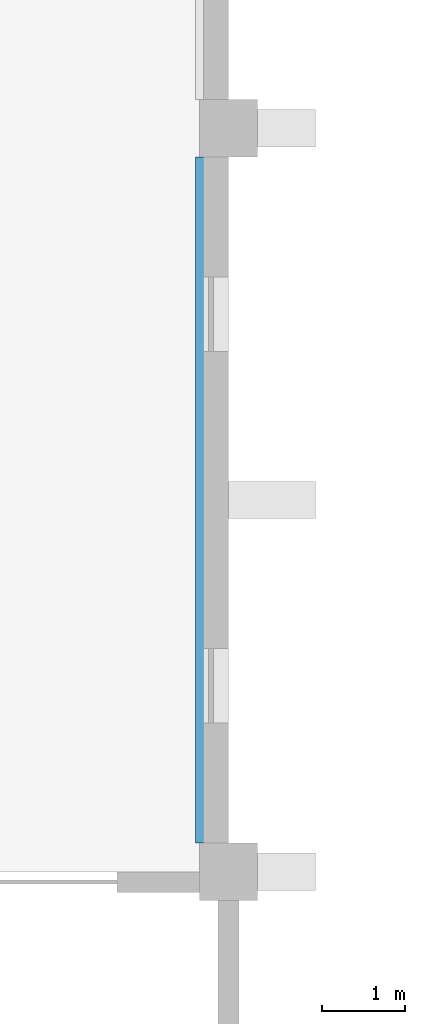
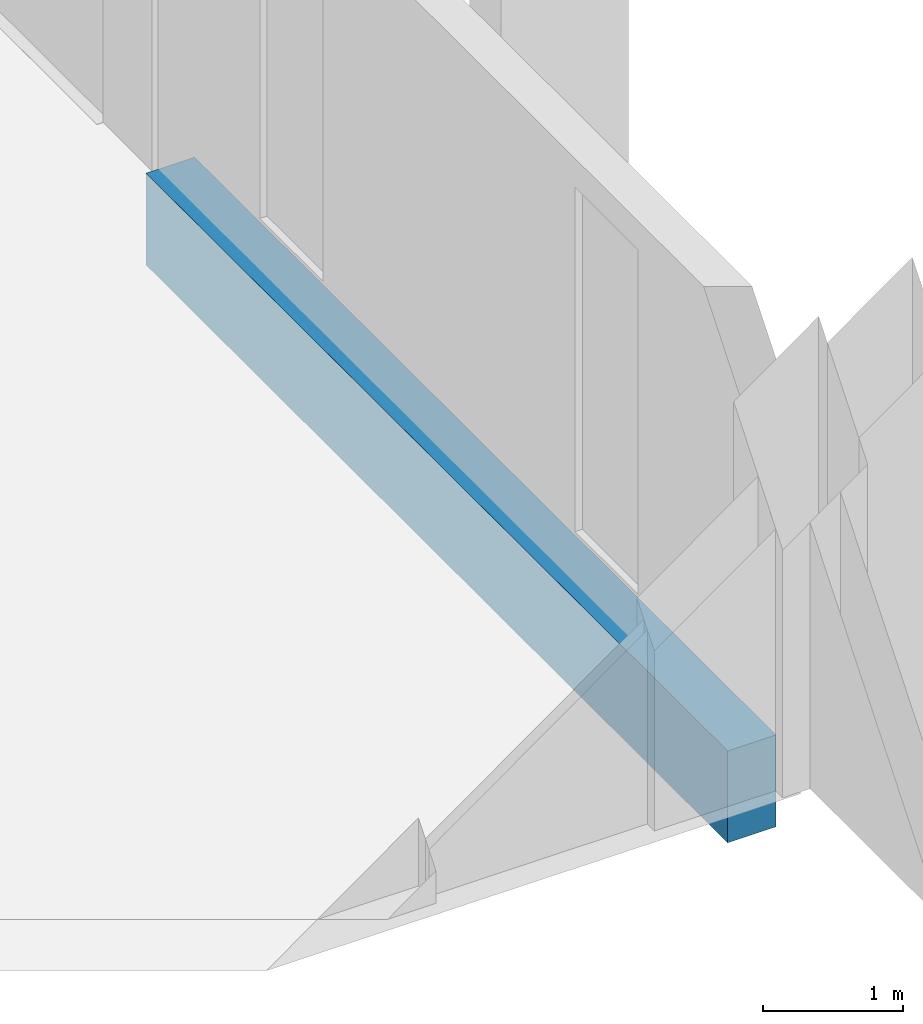
# One storey, part 7 of 40: 1 beam.
"""IFC4 building model written with IfcOpenShell, lengths in metres."""

import ifcopenshell
import ifcopenshell.guid

model = None  # the IFC model being written
_history = None  # IfcOwnerHistory: only IFC2X3 demands one
_inside = {}  # id of a spatial element -> (the spatial element, [elements in it])
_under = {}  # id of a project, library or spatial element -> (it, [spatial elements below it])
_declared = {}  # id of a project -> (the project, [libraries it declares])
_typed = {}  # id of a type object -> (the type object, [elements of that type])
_made_of = {}  # id of a material, layer set ... -> (it, [elements and type objects made of it])


def new_model(schema):
    """Start an empty IFC model of exactly this schema.

    Asked for "IFC4X3", IfcOpenShell would pick the latest addendum, in which some entities
    have other attributes; the version numbers below select the first issue.
    IFC2X3 requires an IfcOwnerHistory on every rooted entity: one is made here for all.
    """
    global model, _history
    if schema == "IFC4X3":
        model = ifcopenshell.file(schema_version=(4, 3, 0, 0))
    else:
        model = ifcopenshell.file(schema=schema)
    _inside.clear()
    _under.clear()
    _declared.clear()
    _typed.clear()
    _made_of.clear()
    _history = None
    if model.schema == "IFC2X3":
        org = make("IfcOrganization", Name="unknown")
        user = make(
            "IfcPersonAndOrganization",
            ThePerson=make("IfcPerson", FamilyName="unknown"),
            TheOrganization=org,
        )
        app = make(
            "IfcApplication",
            ApplicationDeveloper=org,
            Version="unknown",
            ApplicationFullName="unknown",
            ApplicationIdentifier="unknown",
        )
        _history = make(
            "IfcOwnerHistory",
            OwningUser=user,
            OwningApplication=app,
            ChangeAction="ADDED",
            CreationDate=0,
        )
    return model


def make(cls, **values):
    """One entity of the class cls with the attributes given. An attribute that is None is left unset."""
    return model.create_entity(
        cls, **{name: value for name, value in values.items() if value is not None}
    )


def rooted(cls, **values):
    """An entity with a GlobalId (a new one), such as an element, a storey or a relation."""
    return make(cls, GlobalId=ifcopenshell.guid.new(), OwnerHistory=_history, **values)


def si_unit(unit_type, name, prefix=None):
    """IfcSIUnit, for example si_unit("LENGTHUNIT", "METRE", prefix="MILLI")."""
    return make("IfcSIUnit", UnitType=unit_type, Prefix=prefix, Name=name)


def assignment(units):
    """IfcUnitAssignment: the units of a project."""
    return None if units is None else make("IfcUnitAssignment", Units=units)


def point(xyz):
    """IfcCartesianPoint."""
    return None if xyz is None else make("IfcCartesianPoint", Coordinates=xyz)


def direction(xyz):
    """IfcDirection."""
    return None if xyz is None else make("IfcDirection", DirectionRatios=xyz)


def frame(location, z_axis=None, x_axis=None):
    """IfcAxis2Placement3D, a coordinate frame: its origin and axes. An axis left out is left unset."""
    return make(
        "IfcAxis2Placement3D",
        Location=point(location),
        Axis=direction(z_axis),
        RefDirection=direction(x_axis),
    )


def frame_2d(location, x_axis=None):
    """IfcAxis2Placement2D, a coordinate frame in the plane: its origin and x axis."""
    return make(
        "IfcAxis2Placement2D", Location=point(location), RefDirection=direction(x_axis)
    )


def origin():
    """The frame at (0, 0, 0) with its axes left unset."""
    return frame((0.0, 0.0, 0.0))


def origin_2d():
    """The frame at (0, 0) in the plane with its x axis left unset."""
    return frame_2d((0.0, 0.0))


def place(relative_to, where):
    """IfcLocalPlacement: puts the frame where relative to a parent placement (None: the world)."""
    return make(
        "IfcLocalPlacement", PlacementRelTo=relative_to, RelativePlacement=where
    )


def context(
    kind, dimensions, precision=None, world=None, true_north=None, identifier=None
):
    """IfcGeometricRepresentationContext, for example the 3D "Model" context."""
    return make(
        "IfcGeometricRepresentationContext",
        ContextIdentifier=identifier,
        ContextType=kind,
        CoordinateSpaceDimension=dimensions,
        Precision=precision,
        WorldCoordinateSystem=world,
        TrueNorth=true_north,
    )


def subcontext(parent, identifier, kind, view, scale=None):
    """IfcGeometricRepresentationSubContext, for example "Body" below "Model"."""
    return make(
        "IfcGeometricRepresentationSubContext",
        ContextIdentifier=identifier,
        ContextType=kind,
        ParentContext=parent,
        TargetScale=scale,
        TargetView=view,
    )


def project(units=None, contexts=None):
    """IfcProject with its units and contexts."""
    return rooted(
        "IfcProject",
        Name="project",
        RepresentationContexts=contexts,
        UnitsInContext=assignment(units),
    )


def spatial(cls, under=None, at=None, **own):
    """A site, building, storey or space (cls), placed at a placement, below another one or the project."""
    s = rooted(cls, ObjectPlacement=at, **own)
    if under is not None:
        _under.setdefault(under.id(), (under, []))[1].append(s)
    return s


def profile(cls, at=None, kind="AREA", **sizes):
    """A parametric profile (cls). Its sizes go by their IFC names, for example OverallWidth=200.0."""
    return make(cls, ProfileType=kind, Position=at, **sizes)


def rectangle(**sizes):
    """IfcRectangleProfileDef."""
    return profile("IfcRectangleProfileDef", **sizes)


def extrude(swept, where, along, depth):
    """IfcExtrudedAreaSolid: the profile swept, set in the frame where, extruded along a direction by depth."""
    return make(
        "IfcExtrudedAreaSolid",
        SweptArea=swept,
        Position=where,
        ExtrudedDirection=direction(along),
        Depth=depth,
    )


def shape(context_of_items, identifier, shape_type, items):
    """IfcShapeRepresentation: the items that make up one representation, for example the "Body"."""
    return make(
        "IfcShapeRepresentation",
        ContextOfItems=context_of_items,
        RepresentationIdentifier=identifier,
        RepresentationType=shape_type,
        Items=items,
    )


def material(Name=None, Category=None):
    """IfcMaterial."""
    return make("IfcMaterial", Name=Name, Category=Category)


def material_profile(
    of_material, cross_section, Name=None, Category=None, Priority=None
):
    """IfcMaterialProfile: a cross section and its material."""
    return make(
        "IfcMaterialProfile",
        Name=Name,
        Material=of_material,
        Profile=cross_section,
        Priority=Priority,
        Category=Category,
    )


def profile_set(profiles, Name=None, composite=None):
    """IfcMaterialProfileSet."""
    return make(
        "IfcMaterialProfileSet",
        Name=Name,
        MaterialProfiles=profiles,
        CompositeProfile=composite,
    )


def made_of(thing, what):
    """Note that an element or type object is made of a material, layer set ...; save() writes the relation."""
    if what is not None:
        _made_of.setdefault(what.id(), (what, []))[1].append(thing)
    return thing


def type_object(cls, material=None, **own):
    """A type object (cls), such as IfcWallType, which elements share."""
    return made_of(rooted(cls, **own), material)


def element(
    cls,
    number,
    at=None,
    inside=None,
    cuts=None,
    type_object=None,
    material=None,
    context=None,
    identifier="Body",
    shape_type=None,
    held_by="IfcProductDefinitionShape",
    body=None,
    shapes=None,
    **own,
):
    """One element of the class cls, such as IfcWall. Its Tag is "e" and its number.

    at: its placement. inside: the storey or other place that contains it. cuts: it is an
    opening in that element (IfcRelVoidsElement). A single representation is given by context,
    identifier, shape_type and body (its items); several are given by shapes. held_by: the class
    of the entity that holds the representations. save() writes the other relations.
    """
    e = rooted(cls, Tag="e%d" % number, ObjectPlacement=at, **own)
    if body is not None:
        shapes = [shape(context, identifier, shape_type, body)]
    if shapes is not None:
        e.Representation = make(held_by, Representations=shapes)
    if inside is not None:
        _inside.setdefault(inside.id(), (inside, []))[1].append(e)
    if cuts is not None:
        rooted(
            "IfcRelVoidsElement", RelatingBuildingElement=cuts, RelatedOpeningElement=e
        )
    if type_object is not None:
        _typed.setdefault(type_object.id(), (type_object, []))[1].append(e)
    return made_of(e, material)


def aggregate(whole, parts):
    """IfcRelAggregates: a whole, such as a stair, and the parts it consists of."""
    return rooted("IfcRelAggregates", RelatingObject=whole, RelatedObjects=parts)


def save(model, path):
    """Write the relations noted so far, then the file.

    IfcRelAggregates (storeys below a building ...), IfcRelContainedInSpatialStructure (elements
    in a storey), IfcRelDefinesByType, IfcRelAssociatesMaterial and IfcRelDeclares: one each for
    every whole, place, type object, material and project.
    """
    for whole, parts in _under.values():
        aggregate(whole, parts)
    for where, things in _inside.values():
        rooted(
            "IfcRelContainedInSpatialStructure",
            RelatedElements=things,
            RelatingStructure=where,
        )
    for kind, things in _typed.values():
        rooted("IfcRelDefinesByType", RelatedObjects=things, RelatingType=kind)
    for what, things in _made_of.values():
        rooted("IfcRelAssociatesMaterial", RelatedObjects=things, RelatingMaterial=what)
    for by, libraries in _declared.values():
        rooted("IfcRelDeclares", RelatingContext=by, RelatedDefinitions=libraries)
    model.write(path)


model = new_model("IFC4")

# Units and contexts
model_context = context("Model", 3, precision=1e-05, world=origin(), true_north=direction((0.0, 1.0)))
body_context = subcontext(model_context, "Body", "Model", "MODEL_VIEW")
ifc_project = project(units=[si_unit("LENGTHUNIT", "METRE"), si_unit("AREAUNIT", "SQUARE_METRE"), si_unit("VOLUMEUNIT", "CUBIC_METRE"), si_unit("PLANEANGLEUNIT", "RADIAN"), si_unit("MASSUNIT", "GRAM", prefix="KILO")], contexts=[model_context])

# Site, building, storey
site_placement = place(None, origin())
site = spatial("IfcSite", under=ifc_project, at=site_placement, CompositionType="ELEMENT")
building_placement = place(site_placement, origin())
building = spatial("IfcBuilding", under=site, at=building_placement, Name="Guidao Yard Department Store", CompositionType="ELEMENT")
storey_placement = place(building_placement, frame((0.0, 0.0, 24.0)))
storey = spatial("IfcBuildingStorey", under=building, at=storey_placement, Name="L05", CompositionType="ELEMENT", Elevation=24.0)

# Beam
ifc_material = material(Name="Concrete C40", Category="concrete")
ifc_material_profile = material_profile(ifc_material, rectangle(XDim=0.39990234375, YDim=0.800048828125, at=origin_2d()), Name="Spandrel beam 400 x 800 C40")
ifc_profile_set = profile_set([ifc_material_profile], Name="Concrete C40")
beam_type = type_object("IfcBeamType", Name="Spandrel beam 400 x 800 C40", PredefinedType="SPANDREL", material=ifc_profile_set)
beam_placement = place(storey_placement, frame((62.800048828125, 54.35009765625, -0.39990234375), z_axis=(0.0, 1.0, 0.0), x_axis=(-1.0, 0.0, 0.0)))
element("IfcBeam", 1, at=beam_placement, inside=storey, type_object=beam_type, Name="Beam EB14", PredefinedType="SPANDREL", context=body_context, shape_type="SweptSolid", body=[
    extrude(rectangle(XDim=0.39990234375, YDim=0.800048828125, at=origin_2d()), origin(), (0.0, 0.0, 1.0), 8.2998046875),
])

save(model, "model.ifc")
